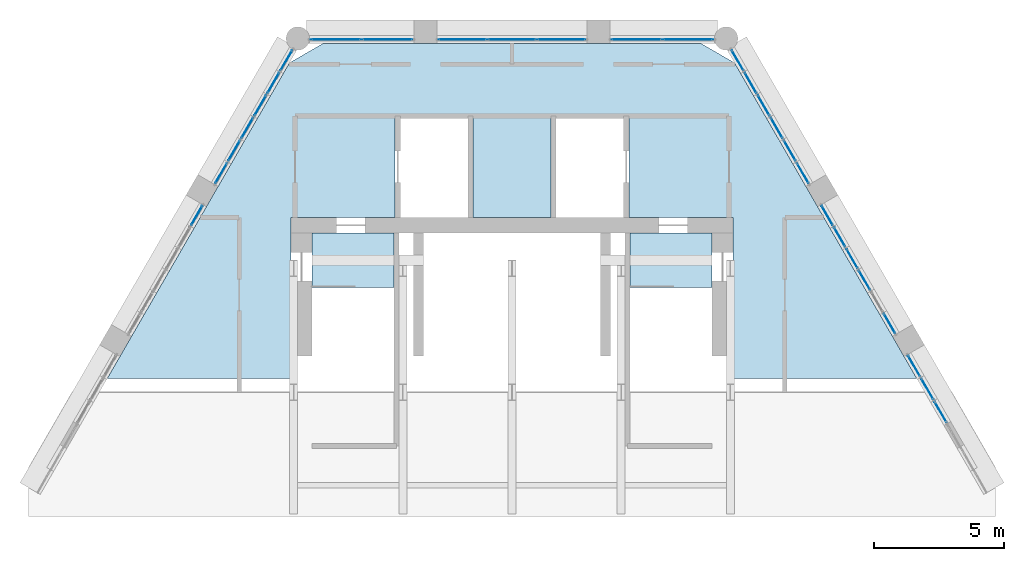
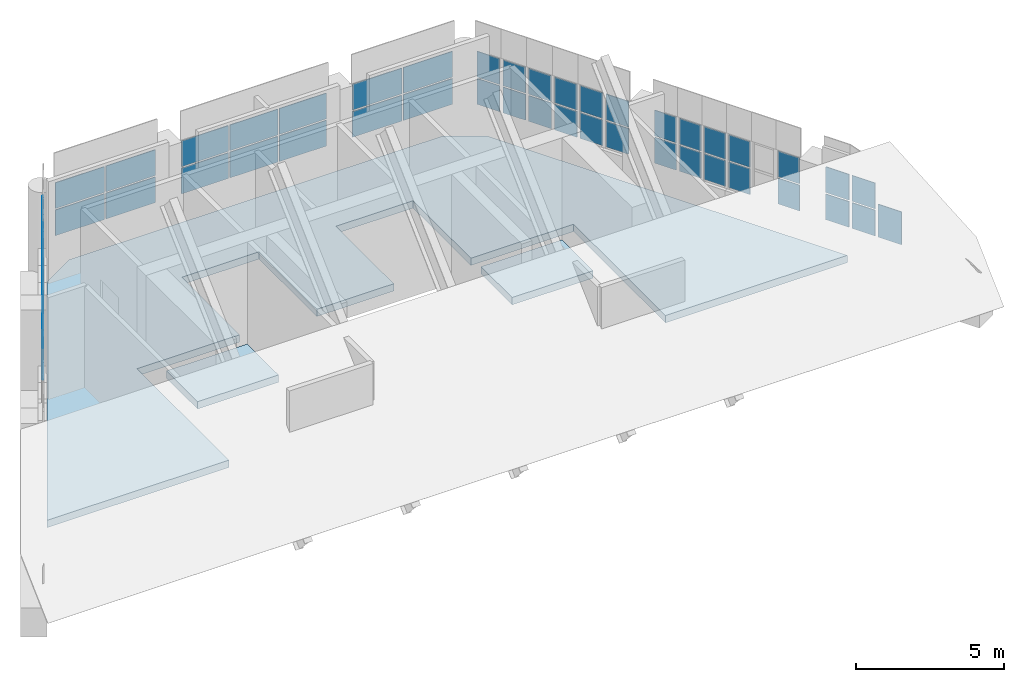
# One storey, part 13 of 16: 55 plates, 3 slabs, 24 elements without a shape of their own.
"""IFC4 building model written with IfcOpenShell, lengths in metres."""

from ifc_helpers import new_model, si_unit, direction, frame, origin, origin_2d, place, context, subcontext, project, spatial, polyline, rectangle, outline, extrude, material, layer, layer_set, type_object, element, aggregate, save


model = new_model("IFC4")

# Units and contexts
model_context = context("Model", 3, precision=1e-05, world=origin(), true_north=direction((0.0, 1.0)))
body_context = subcontext(model_context, "Body", "Model", "MODEL_VIEW")
ifc_project = project(units=[si_unit("LENGTHUNIT", "METRE"), si_unit("AREAUNIT", "SQUARE_METRE"), si_unit("VOLUMEUNIT", "CUBIC_METRE"), si_unit("PLANEANGLEUNIT", "RADIAN"), si_unit("MASSUNIT", "GRAM", prefix="KILO")], contexts=[model_context])

# Site, building, storey
site_placement = place(None, origin())
site = spatial("IfcSite", under=ifc_project, at=site_placement, CompositionType="ELEMENT")
building_placement = place(site_placement, origin())
building = spatial("IfcBuilding", under=site, at=building_placement, Name="Ostrander Bayou Hotel Tower", CompositionType="ELEMENT")
storey_placement = place(building_placement, frame((0.0, 0.0, 288.5)))
storey = spatial("IfcBuildingStorey", under=building, at=storey_placement, Name="L71", CompositionType="ELEMENT", Elevation=288.5)

# Curtain wall, plates
ifc_material_1 = material(Name="Aluminium and clear glass", Category="aluminium")
curtain_wall_type = type_object("IfcCurtainWallType", Name="CW-CROWN glazed wall", PredefinedType="NOTDEFINED", material=ifc_material_1)
curtain_wall_1_placement = place(storey_placement, origin())
curtain_wall_1 = element("IfcCurtainWall", 1, at=curtain_wall_1_placement, inside=storey, type_object=curtain_wall_type, Name="CW-CROWN L71:N-1", PredefinedType="NOTDEFINED")
ifc_material_2 = material(Name="Clear laminated glass", Category="glass")
ifc_layer_1 = layer(ifc_material_2, 0.028076171875)
ifc_layer_set_1 = layer_set([ifc_layer_1], Name="CW-CR glazing panel 28 mm")
plate_type = type_object("IfcPlateType", Name="CW-CR glazing panel 28 mm", PredefinedType="CURTAIN_PANEL", material=ifc_layer_set_1)
plate_1_placement = place(storey_placement, frame((6.77685546875, 16.550048828125, 1.06005859375), z_axis=(0.0, 0.0, 1.0), x_axis=(-1.0, 0.0, 0.0)))
plate_1 = element("IfcPlate", 2, at=plate_1_placement, type_object=plate_type, Name="CW-CROWN panel 1.1", PredefinedType="CURTAIN_PANEL", context=body_context, shape_type="SweptSolid", body=[
    extrude(rectangle(XDim=1.918212890625, YDim=0.028076171875, at=origin_2d()), origin(), (0.0, 0.0, 1.0), 1.06005859375),
])
plate_2_placement = place(storey_placement, frame((6.77685546875, 16.550048828125, 2.179931640625), z_axis=(0.0, 0.0, 1.0), x_axis=(-1.0, 0.0, 0.0)))
plate_2 = element("IfcPlate", 3, at=plate_2_placement, type_object=plate_type, Name="CW-CROWN panel 1.2", PredefinedType="CURTAIN_PANEL", context=body_context, shape_type="SweptSolid", body=[
    extrude(rectangle(XDim=1.918212890625, YDim=0.028076171875, at=origin_2d()), origin(), (0.0, 0.0, 1.0), 1.06005859375),
])
plate_3_placement = place(storey_placement, frame((4.798583984375, 16.550048828125, 1.06005859375), z_axis=(0.0, 0.0, 1.0), x_axis=(-1.0, 0.0, 0.0)))
plate_3 = element("IfcPlate", 4, at=plate_3_placement, type_object=plate_type, Name="CW-CROWN panel 2.1", PredefinedType="CURTAIN_PANEL", context=body_context, shape_type="SweptSolid", body=[
    extrude(rectangle(XDim=1.918212890625, YDim=0.028076171875, at=origin_2d()), origin(), (0.0, 0.0, 1.0), 1.06005859375),
])
plate_4_placement = place(storey_placement, frame((4.798583984375, 16.550048828125, 2.179931640625), z_axis=(0.0, 0.0, 1.0), x_axis=(-1.0, 0.0, 0.0)))
plate_4 = element("IfcPlate", 5, at=plate_4_placement, type_object=plate_type, Name="CW-CROWN panel 2.2", PredefinedType="CURTAIN_PANEL", context=body_context, shape_type="SweptSolid", body=[
    extrude(rectangle(XDim=1.918212890625, YDim=0.028076171875, at=origin_2d()), origin(), (0.0, 0.0, 1.0), 1.06005859375),
])
aggregate(curtain_wall_1, [plate_1, plate_2, plate_3, plate_4])

curtain_wall_2_placement = place(storey_placement, origin())
curtain_wall_2 = element("IfcCurtainWall", 6, at=curtain_wall_2_placement, inside=storey, type_object=curtain_wall_type, Name="CW-CROWN L71:N-2", PredefinedType="NOTDEFINED")
plate_5_placement = place(storey_placement, frame((1.904541015625, 16.550048828125, 1.06005859375), z_axis=(0.0, 0.0, 1.0), x_axis=(-1.0, 0.0, 0.0)))
plate_5 = element("IfcPlate", 7, at=plate_5_placement, type_object=plate_type, Name="CW-CROWN panel 1.1", PredefinedType="CURTAIN_PANEL", context=body_context, shape_type="SweptSolid", body=[
    extrude(rectangle(XDim=1.82958984375, YDim=0.028076171875, at=origin_2d()), origin(), (0.0, 0.0, 1.0), 1.06005859375),
])
plate_6_placement = place(storey_placement, frame((1.904541015625, 16.550048828125, 2.179931640625), z_axis=(0.0, 0.0, 1.0), x_axis=(-1.0, 0.0, 0.0)))
plate_6 = element("IfcPlate", 8, at=plate_6_placement, type_object=plate_type, Name="CW-CROWN panel 1.2", PredefinedType="CURTAIN_PANEL", context=body_context, shape_type="SweptSolid", body=[
    extrude(rectangle(XDim=1.82958984375, YDim=0.028076171875, at=origin_2d()), origin(), (0.0, 0.0, 1.0), 1.06005859375),
])
plate_7_placement = place(storey_placement, frame((0.0, 16.550048828125, 1.06005859375), z_axis=(0.0, 0.0, 1.0), x_axis=(-1.0, 0.0, 0.0)))
plate_7 = element("IfcPlate", 9, at=plate_7_placement, type_object=plate_type, Name="CW-CROWN panel 2.1", PredefinedType="CURTAIN_PANEL", context=body_context, shape_type="SweptSolid", body=[
    extrude(rectangle(XDim=1.859619140625, YDim=0.028076171875, at=origin_2d()), origin(), (0.0, 0.0, 1.0), 1.06005859375),
])
plate_8_placement = place(storey_placement, frame((0.0, 16.550048828125, 2.179931640625), z_axis=(0.0, 0.0, 1.0), x_axis=(-1.0, 0.0, 0.0)))
plate_8 = element("IfcPlate", 10, at=plate_8_placement, type_object=plate_type, Name="CW-CROWN panel 2.2", PredefinedType="CURTAIN_PANEL", context=body_context, shape_type="SweptSolid", body=[
    extrude(rectangle(XDim=1.859619140625, YDim=0.028076171875, at=origin_2d()), origin(), (0.0, 0.0, 1.0), 1.06005859375),
])
plate_9_placement = place(storey_placement, frame((-1.904541015625, 16.550048828125, 1.06005859375), z_axis=(0.0, 0.0, 1.0), x_axis=(-1.0, 0.0, 0.0)))
plate_9 = element("IfcPlate", 11, at=plate_9_placement, type_object=plate_type, Name="CW-CROWN panel 3.1", PredefinedType="CURTAIN_PANEL", context=body_context, shape_type="SweptSolid", body=[
    extrude(rectangle(XDim=1.82958984375, YDim=0.028076171875, at=origin_2d()), origin(), (0.0, 0.0, 1.0), 1.06005859375),
])
plate_10_placement = place(storey_placement, frame((-1.904541015625, 16.550048828125, 2.179931640625), z_axis=(0.0, 0.0, 1.0), x_axis=(-1.0, 0.0, 0.0)))
plate_10 = element("IfcPlate", 12, at=plate_10_placement, type_object=plate_type, Name="CW-CROWN panel 3.2", PredefinedType="CURTAIN_PANEL", context=body_context, shape_type="SweptSolid", body=[
    extrude(rectangle(XDim=1.82958984375, YDim=0.028076171875, at=origin_2d()), origin(), (0.0, 0.0, 1.0), 1.06005859375),
])
aggregate(curtain_wall_2, [plate_5, plate_6, plate_7, plate_8, plate_9, plate_10])

curtain_wall_3_placement = place(storey_placement, origin())
curtain_wall_3 = element("IfcCurtainWall", 13, at=curtain_wall_3_placement, inside=storey, type_object=curtain_wall_type, Name="CW-CROWN L71:N-3", PredefinedType="NOTDEFINED")
plate_11_placement = place(storey_placement, frame((-4.798583984375, 16.550048828125, 1.06005859375), z_axis=(0.0, 0.0, 1.0), x_axis=(-1.0, 0.0, 0.0)))
plate_11 = element("IfcPlate", 14, at=plate_11_placement, type_object=plate_type, Name="CW-CROWN panel 1.1", PredefinedType="CURTAIN_PANEL", context=body_context, shape_type="SweptSolid", body=[
    extrude(rectangle(XDim=1.918212890625, YDim=0.028076171875, at=origin_2d()), origin(), (0.0, 0.0, 1.0), 1.06005859375),
])
plate_12_placement = place(storey_placement, frame((-4.798583984375, 16.550048828125, 2.179931640625), z_axis=(0.0, 0.0, 1.0), x_axis=(-1.0, 0.0, 0.0)))
plate_12 = element("IfcPlate", 15, at=plate_12_placement, type_object=plate_type, Name="CW-CROWN panel 1.2", PredefinedType="CURTAIN_PANEL", context=body_context, shape_type="SweptSolid", body=[
    extrude(rectangle(XDim=1.918212890625, YDim=0.028076171875, at=origin_2d()), origin(), (0.0, 0.0, 1.0), 1.06005859375),
])
plate_13_placement = place(storey_placement, frame((-6.77685546875, 16.550048828125, 1.06005859375), z_axis=(0.0, 0.0, 1.0), x_axis=(-1.0, 0.0, 0.0)))
plate_13 = element("IfcPlate", 16, at=plate_13_placement, type_object=plate_type, Name="CW-CROWN panel 2.1", PredefinedType="CURTAIN_PANEL", context=body_context, shape_type="SweptSolid", body=[
    extrude(rectangle(XDim=1.918212890625, YDim=0.028076171875, at=origin_2d()), origin(), (0.0, 0.0, 1.0), 1.06005859375),
])
plate_14_placement = place(storey_placement, frame((-6.77685546875, 16.550048828125, 2.179931640625), z_axis=(0.0, 0.0, 1.0), x_axis=(-1.0, 0.0, 0.0)))
plate_14 = element("IfcPlate", 17, at=plate_14_placement, type_object=plate_type, Name="CW-CROWN panel 2.2", PredefinedType="CURTAIN_PANEL", context=body_context, shape_type="SweptSolid", body=[
    extrude(rectangle(XDim=1.918212890625, YDim=0.028076171875, at=origin_2d()), origin(), (0.0, 0.0, 1.0), 1.06005859375),
])
aggregate(curtain_wall_3, [plate_11, plate_12, plate_13, plate_14])

curtain_wall_4_placement = place(storey_placement, origin())
curtain_wall_4 = element("IfcCurtainWall", 18, at=curtain_wall_4_placement, inside=storey, type_object=curtain_wall_type, Name="CW-CROWN L71:NW-1-1", PredefinedType="NOTDEFINED")
plate_15_placement = place(storey_placement, frame((-8.682861328125, 15.748046875, 1.06005859375), z_axis=(0.0, 0.0, 1.0), x_axis=(-0.499998569184, -0.866026229865, 0.0)))
plate_15 = element("IfcPlate", 19, at=plate_15_placement, type_object=plate_type, Name="CW-CROWN panel 1.1", PredefinedType="CURTAIN_PANEL", context=body_context, shape_type="SweptSolid", body=[
    extrude(rectangle(XDim=0.88330078125, YDim=0.028076171875, at=origin_2d()), origin(), (0.0, 0.0, 1.0), 1.06005859375),
])
plate_16_placement = place(storey_placement, frame((-8.682861328125, 15.748046875, 2.179931640625), z_axis=(0.0, 0.0, 1.0), x_axis=(-0.499998569184, -0.866026229865, 0.0)))
plate_16 = element("IfcPlate", 20, at=plate_16_placement, type_object=plate_type, Name="CW-CROWN panel 1.2", PredefinedType="CURTAIN_PANEL", context=body_context, shape_type="SweptSolid", body=[
    extrude(rectangle(XDim=0.88330078125, YDim=0.028076171875, at=origin_2d()), origin(), (0.0, 0.0, 1.0), 1.06005859375),
])
aggregate(curtain_wall_4, [plate_15, plate_16])

curtain_wall_5_placement = place(storey_placement, origin())
curtain_wall_5 = element("IfcCurtainWall", 21, at=curtain_wall_5_placement, inside=storey, type_object=curtain_wall_type, Name="CW-CROWN L71:NW-1-2", PredefinedType="NOTDEFINED")
plate_17_placement = place(storey_placement, frame((-9.184326171875, 14.879150390625, 1.06005859375), z_axis=(0.0, 0.0, 1.0), x_axis=(-0.50004173523, -0.866001306597, 0.0)))
plate_17 = element("IfcPlate", 22, at=plate_17_placement, type_object=plate_type, Name="CW-CROWN panel 1.1", PredefinedType="CURTAIN_PANEL", context=body_context, shape_type="SweptSolid", body=[
    extrude(rectangle(XDim=0.883056640625, YDim=0.028076171875, at=origin_2d()), origin(), (0.0, 0.0, 1.0), 1.06005859375),
])
plate_18_placement = place(storey_placement, frame((-9.184326171875, 14.879150390625, 2.179931640625), z_axis=(0.0, 0.0, 1.0), x_axis=(-0.50004173523, -0.866001306597, 0.0)))
plate_18 = element("IfcPlate", 23, at=plate_18_placement, type_object=plate_type, Name="CW-CROWN panel 1.2", PredefinedType="CURTAIN_PANEL", context=body_context, shape_type="SweptSolid", body=[
    extrude(rectangle(XDim=0.883056640625, YDim=0.028076171875, at=origin_2d()), origin(), (0.0, 0.0, 1.0), 1.06005859375),
])
aggregate(curtain_wall_5, [plate_17, plate_18])

curtain_wall_6_placement = place(storey_placement, origin())
curtain_wall_6 = element("IfcCurtainWall", 24, at=curtain_wall_6_placement, inside=storey, type_object=curtain_wall_type, Name="CW-CROWN L71:NW-1-3", PredefinedType="NOTDEFINED")
plate_19_placement = place(storey_placement, frame((-9.68603515625, 14.010498046875, 1.06005859375), z_axis=(0.0, 0.0, 1.0), x_axis=(-0.499998569184, -0.866026229865, 0.0)))
plate_19 = element("IfcPlate", 25, at=plate_19_placement, type_object=plate_type, Name="CW-CROWN panel 1.1", PredefinedType="CURTAIN_PANEL", context=body_context, shape_type="SweptSolid", body=[
    extrude(rectangle(XDim=0.88330078125, YDim=0.028076171875, at=origin_2d()), origin(), (0.0, 0.0, 1.0), 1.06005859375),
])
plate_20_placement = place(storey_placement, frame((-9.68603515625, 14.010498046875, 2.179931640625), z_axis=(0.0, 0.0, 1.0), x_axis=(-0.499998569184, -0.866026229865, 0.0)))
plate_20 = element("IfcPlate", 26, at=plate_20_placement, type_object=plate_type, Name="CW-CROWN panel 1.2", PredefinedType="CURTAIN_PANEL", context=body_context, shape_type="SweptSolid", body=[
    extrude(rectangle(XDim=0.88330078125, YDim=0.028076171875, at=origin_2d()), origin(), (0.0, 0.0, 1.0), 1.06005859375),
])
aggregate(curtain_wall_6, [plate_19, plate_20])

curtain_wall_7_placement = place(storey_placement, origin())
curtain_wall_7 = element("IfcCurtainWall", 27, at=curtain_wall_7_placement, inside=storey, type_object=curtain_wall_type, Name="CW-CROWN L71:NW-1-4", PredefinedType="NOTDEFINED")
plate_21_placement = place(storey_placement, frame((-10.1875, 13.1416015625, 1.06005859375), z_axis=(0.0, 0.0, 1.0), x_axis=(-0.499923802893, -0.866069391736, 0.0)))
plate_21 = element("IfcPlate", 28, at=plate_21_placement, type_object=plate_type, Name="CW-CROWN panel 1.1", PredefinedType="CURTAIN_PANEL", context=body_context, shape_type="SweptSolid", body=[
    extrude(rectangle(XDim=0.883056640625, YDim=0.028076171875, at=origin_2d()), origin(), (0.0, 0.0, 1.0), 1.06005859375),
])
plate_22_placement = place(storey_placement, frame((-10.1875, 13.1416015625, 2.179931640625), z_axis=(0.0, 0.0, 1.0), x_axis=(-0.499923802893, -0.866069391736, 0.0)))
plate_22 = element("IfcPlate", 29, at=plate_22_placement, type_object=plate_type, Name="CW-CROWN panel 1.2", PredefinedType="CURTAIN_PANEL", context=body_context, shape_type="SweptSolid", body=[
    extrude(rectangle(XDim=0.883056640625, YDim=0.028076171875, at=origin_2d()), origin(), (0.0, 0.0, 1.0), 1.06005859375),
])
aggregate(curtain_wall_7, [plate_21, plate_22])

curtain_wall_8_placement = place(storey_placement, origin())
curtain_wall_8 = element("IfcCurtainWall", 30, at=curtain_wall_8_placement, inside=storey, type_object=curtain_wall_type, Name="CW-CROWN L71:NW-1-5", PredefinedType="NOTDEFINED")
plate_23_placement = place(storey_placement, frame((-10.689208984375, 12.27294921875, 1.06005859375), z_axis=(0.0, 0.0, 1.0), x_axis=(-0.50004173523, -0.866001306597, 0.0)))
plate_23 = element("IfcPlate", 31, at=plate_23_placement, type_object=plate_type, Name="CW-CROWN panel 1.1", PredefinedType="CURTAIN_PANEL", context=body_context, shape_type="SweptSolid", body=[
    extrude(rectangle(XDim=0.883056640625, YDim=0.028076171875, at=origin_2d()), origin(), (0.0, 0.0, 1.0), 1.06005859375),
])
plate_24_placement = place(storey_placement, frame((-10.689208984375, 12.27294921875, 2.179931640625), z_axis=(0.0, 0.0, 1.0), x_axis=(-0.50004173523, -0.866001306597, 0.0)))
plate_24 = element("IfcPlate", 32, at=plate_24_placement, type_object=plate_type, Name="CW-CROWN panel 1.2", PredefinedType="CURTAIN_PANEL", context=body_context, shape_type="SweptSolid", body=[
    extrude(rectangle(XDim=0.883056640625, YDim=0.028076171875, at=origin_2d()), origin(), (0.0, 0.0, 1.0), 1.06005859375),
])
aggregate(curtain_wall_8, [plate_23, plate_24])

curtain_wall_9_placement = place(storey_placement, origin())
curtain_wall_9 = element("IfcCurtainWall", 33, at=curtain_wall_9_placement, inside=storey, type_object=curtain_wall_type, Name="CW-CROWN L71:NW-1-6", PredefinedType="NOTDEFINED")
plate_25_placement = place(storey_placement, frame((-11.190673828125, 11.404296875, 1.06005859375), z_axis=(0.0, 0.0, 1.0), x_axis=(-0.499998569184, -0.866026229865, 0.0)))
plate_25 = element("IfcPlate", 34, at=plate_25_placement, type_object=plate_type, Name="CW-CROWN panel 1.1", PredefinedType="CURTAIN_PANEL", context=body_context, shape_type="SweptSolid", body=[
    extrude(rectangle(XDim=0.88330078125, YDim=0.028076171875, at=origin_2d()), origin(), (0.0, 0.0, 1.0), 1.06005859375),
])
plate_26_placement = place(storey_placement, frame((-11.190673828125, 11.404296875, 2.179931640625), z_axis=(0.0, 0.0, 1.0), x_axis=(-0.499998569184, -0.866026229865, 0.0)))
plate_26 = element("IfcPlate", 35, at=plate_26_placement, type_object=plate_type, Name="CW-CROWN panel 1.2", PredefinedType="CURTAIN_PANEL", context=body_context, shape_type="SweptSolid", body=[
    extrude(rectangle(XDim=0.88330078125, YDim=0.028076171875, at=origin_2d()), origin(), (0.0, 0.0, 1.0), 1.06005859375),
])
aggregate(curtain_wall_9, [plate_25, plate_26])

curtain_wall_10_placement = place(storey_placement, origin())
curtain_wall_10 = element("IfcCurtainWall", 36, at=curtain_wall_10_placement, inside=storey, type_object=curtain_wall_type, Name="CW-CROWN L71:NW-2-1", PredefinedType="NOTDEFINED")
plate_27_placement = place(storey_placement, frame((-12.13134765625, 9.77490234375, 1.06005859375), z_axis=(0.0, 0.0, 1.0), x_axis=(-0.500005045044, -0.866022491007, 0.0)))
plate_27 = element("IfcPlate", 37, at=plate_27_placement, type_object=plate_type, Name="CW-CROWN panel 1.1", PredefinedType="CURTAIN_PANEL", context=body_context, shape_type="SweptSolid", body=[
    extrude(rectangle(XDim=0.83984375, YDim=0.028076171875, at=origin_2d()), origin(), (0.0, 0.0, 1.0), 1.06005859375),
])
plate_28_placement = place(storey_placement, frame((-12.13134765625, 9.77490234375, 2.179931640625), z_axis=(0.0, 0.0, 1.0), x_axis=(-0.500005045044, -0.866022491007, 0.0)))
plate_28 = element("IfcPlate", 38, at=plate_28_placement, type_object=plate_type, Name="CW-CROWN panel 1.2", PredefinedType="CURTAIN_PANEL", context=body_context, shape_type="SweptSolid", body=[
    extrude(rectangle(XDim=0.83984375, YDim=0.028076171875, at=origin_2d()), origin(), (0.0, 0.0, 1.0), 1.06005859375),
])
aggregate(curtain_wall_10, [plate_27, plate_28])

# Curtain wall, plate
curtain_wall_11_placement = place(storey_placement, origin())
curtain_wall_11 = element("IfcCurtainWall", 39, at=curtain_wall_11_placement, inside=storey, type_object=curtain_wall_type, Name="CW-CROWN L71:NE-1-4", PredefinedType="NOTDEFINED")
plate_29_placement = place(storey_placement, frame((16.497802734375, 2.2119140625, 1.06005859375), z_axis=(0.0, 0.0, 1.0), x_axis=(-0.499939953771, 0.866060068715, 0.0)))
plate_29 = element("IfcPlate", 40, at=plate_29_placement, type_object=plate_type, Name="CW-CROWN panel 1.1", PredefinedType="CURTAIN_PANEL", context=body_context, shape_type="SweptSolid", body=[
    extrude(rectangle(XDim=0.901611328125, YDim=0.028076171875, at=origin_2d()), origin(), (0.0, 0.0, 1.0), 1.35205078125),
])
aggregate(curtain_wall_11, [plate_29])

# Curtain wall, plates
curtain_wall_12_placement = place(storey_placement, origin())
curtain_wall_12 = element("IfcCurtainWall", 41, at=curtain_wall_12_placement, inside=storey, type_object=curtain_wall_type, Name="CW-CROWN L71:NE-1-5", PredefinedType="NOTDEFINED")
plate_30_placement = place(storey_placement, frame((15.987060546875, 3.0966796875, 1.06005859375), z_axis=(0.0, 0.0, 1.0), x_axis=(-0.500013374066, 0.866017682126, 0.0)))
plate_30 = element("IfcPlate", 42, at=plate_30_placement, type_object=plate_type, Name="CW-CROWN panel 1.1", PredefinedType="CURTAIN_PANEL", context=body_context, shape_type="SweptSolid", body=[
    extrude(rectangle(XDim=0.901611328125, YDim=0.028076171875, at=origin_2d()), origin(), (0.0, 0.0, 1.0), 1.06005859375),
])
plate_31_placement = place(storey_placement, frame((15.987060546875, 3.0966796875, 2.179931640625), z_axis=(0.0, 0.0, 1.0), x_axis=(-0.500013374066, 0.866017682126, 0.0)))
plate_31 = element("IfcPlate", 43, at=plate_31_placement, type_object=plate_type, Name="CW-CROWN panel 1.2", PredefinedType="CURTAIN_PANEL", context=body_context, shape_type="SweptSolid", body=[
    extrude(rectangle(XDim=0.901611328125, YDim=0.028076171875, at=origin_2d()), origin(), (0.0, 0.0, 1.0), 1.06005859375),
])
aggregate(curtain_wall_12, [plate_30, plate_31])

curtain_wall_13_placement = place(storey_placement, origin())
curtain_wall_13 = element("IfcCurtainWall", 44, at=curtain_wall_13_placement, inside=storey, type_object=curtain_wall_type, Name="CW-CROWN L71:NE-1-6", PredefinedType="NOTDEFINED")
plate_32_placement = place(storey_placement, frame((15.476318359375, 3.9814453125, 1.06005859375), z_axis=(0.0, 0.0, 1.0), x_axis=(-0.500013374066, 0.866017682126, 0.0)))
plate_32 = element("IfcPlate", 45, at=plate_32_placement, type_object=plate_type, Name="CW-CROWN panel 1.1", PredefinedType="CURTAIN_PANEL", context=body_context, shape_type="SweptSolid", body=[
    extrude(rectangle(XDim=0.901611328125, YDim=0.028076171875, at=origin_2d()), origin(), (0.0, 0.0, 1.0), 1.06005859375),
])
plate_33_placement = place(storey_placement, frame((15.476318359375, 3.9814453125, 2.179931640625), z_axis=(0.0, 0.0, 1.0), x_axis=(-0.500013374066, 0.866017682126, 0.0)))
plate_33 = element("IfcPlate", 46, at=plate_33_placement, type_object=plate_type, Name="CW-CROWN panel 1.2", PredefinedType="CURTAIN_PANEL", context=body_context, shape_type="SweptSolid", body=[
    extrude(rectangle(XDim=0.901611328125, YDim=0.028076171875, at=origin_2d()), origin(), (0.0, 0.0, 1.0), 1.06005859375),
])
aggregate(curtain_wall_13, [plate_32, plate_33])

curtain_wall_14_placement = place(storey_placement, origin())
curtain_wall_14 = element("IfcCurtainWall", 47, at=curtain_wall_14_placement, inside=storey, type_object=curtain_wall_type, Name="CW-CROWN L71:NE-2-1", PredefinedType="NOTDEFINED")
plate_34_placement = place(storey_placement, frame((14.531005859375, 5.61865234375, 1.06005859375), z_axis=(0.0, 0.0, 1.0), x_axis=(-0.500005045044, 0.866022491007, 0.0)))
plate_34 = element("IfcPlate", 48, at=plate_34_placement, type_object=plate_type, Name="CW-CROWN panel 1.1", PredefinedType="CURTAIN_PANEL", context=body_context, shape_type="SweptSolid", body=[
    extrude(rectangle(XDim=0.83984375, YDim=0.028076171875, at=origin_2d()), origin(), (0.0, 0.0, 1.0), 1.06005859375),
])
plate_35_placement = place(storey_placement, frame((14.531005859375, 5.61865234375, 2.179931640625), z_axis=(0.0, 0.0, 1.0), x_axis=(-0.500005045044, 0.866022491007, 0.0)))
plate_35 = element("IfcPlate", 49, at=plate_35_placement, type_object=plate_type, Name="CW-CROWN panel 1.2", PredefinedType="CURTAIN_PANEL", context=body_context, shape_type="SweptSolid", body=[
    extrude(rectangle(XDim=0.83984375, YDim=0.028076171875, at=origin_2d()), origin(), (0.0, 0.0, 1.0), 1.06005859375),
])
aggregate(curtain_wall_14, [plate_34, plate_35])

curtain_wall_15_placement = place(storey_placement, origin())
curtain_wall_15 = element("IfcCurtainWall", 50, at=curtain_wall_15_placement, inside=storey, type_object=curtain_wall_type, Name="CW-CROWN L71:NE-2-3", PredefinedType="NOTDEFINED")
plate_36_placement = place(storey_placement, frame((13.571044921875, 7.28125, 1.06005859375), z_axis=(0.0, 0.0, 1.0), x_axis=(-0.499959932788, 0.866048535364, 0.0)))
plate_36 = element("IfcPlate", 51, at=plate_36_placement, type_object=plate_type, Name="CW-CROWN panel 1.1", PredefinedType="CURTAIN_PANEL", context=body_context, shape_type="SweptSolid", body=[
    extrude(rectangle(XDim=0.83984375, YDim=0.028076171875, at=origin_2d()), origin(), (0.0, 0.0, 1.0), 1.06005859375),
])
plate_37_placement = place(storey_placement, frame((13.571044921875, 7.28125, 2.179931640625), z_axis=(0.0, 0.0, 1.0), x_axis=(-0.499959932788, 0.866048535364, 0.0)))
plate_37 = element("IfcPlate", 52, at=plate_37_placement, type_object=plate_type, Name="CW-CROWN panel 1.2", PredefinedType="CURTAIN_PANEL", context=body_context, shape_type="SweptSolid", body=[
    extrude(rectangle(XDim=0.83984375, YDim=0.028076171875, at=origin_2d()), origin(), (0.0, 0.0, 1.0), 1.06005859375),
])
aggregate(curtain_wall_15, [plate_36, plate_37])

curtain_wall_16_placement = place(storey_placement, origin())
curtain_wall_16 = element("IfcCurtainWall", 53, at=curtain_wall_16_placement, inside=storey, type_object=curtain_wall_type, Name="CW-CROWN L71:NE-2-4", PredefinedType="NOTDEFINED")
plate_38_placement = place(storey_placement, frame((13.09130859375, 8.1123046875, 1.06005859375), z_axis=(0.0, 0.0, 1.0), x_axis=(-0.500005045044, 0.866022491007, 0.0)))
plate_38 = element("IfcPlate", 54, at=plate_38_placement, type_object=plate_type, Name="CW-CROWN panel 1.1", PredefinedType="CURTAIN_PANEL", context=body_context, shape_type="SweptSolid", body=[
    extrude(rectangle(XDim=0.83984375, YDim=0.028076171875, at=origin_2d()), origin(), (0.0, 0.0, 1.0), 1.06005859375),
])
plate_39_placement = place(storey_placement, frame((13.09130859375, 8.1123046875, 2.179931640625), z_axis=(0.0, 0.0, 1.0), x_axis=(-0.500005045044, 0.866022491007, 0.0)))
plate_39 = element("IfcPlate", 55, at=plate_39_placement, type_object=plate_type, Name="CW-CROWN panel 1.2", PredefinedType="CURTAIN_PANEL", context=body_context, shape_type="SweptSolid", body=[
    extrude(rectangle(XDim=0.83984375, YDim=0.028076171875, at=origin_2d()), origin(), (0.0, 0.0, 1.0), 1.06005859375),
])
aggregate(curtain_wall_16, [plate_38, plate_39])

curtain_wall_17_placement = place(storey_placement, origin())
curtain_wall_17 = element("IfcCurtainWall", 56, at=curtain_wall_17_placement, inside=storey, type_object=curtain_wall_type, Name="CW-CROWN L71:NE-2-5", PredefinedType="NOTDEFINED")
plate_40_placement = place(storey_placement, frame((12.611328125, 8.943603515625, 1.06005859375), z_axis=(0.0, 0.0, 1.0), x_axis=(-0.500005045044, 0.866022491007, 0.0)))
plate_40 = element("IfcPlate", 57, at=plate_40_placement, type_object=plate_type, Name="CW-CROWN panel 1.1", PredefinedType="CURTAIN_PANEL", context=body_context, shape_type="SweptSolid", body=[
    extrude(rectangle(XDim=0.83984375, YDim=0.028076171875, at=origin_2d()), origin(), (0.0, 0.0, 1.0), 1.06005859375),
])
plate_41_placement = place(storey_placement, frame((12.611328125, 8.943603515625, 2.179931640625), z_axis=(0.0, 0.0, 1.0), x_axis=(-0.500005045044, 0.866022491007, 0.0)))
plate_41 = element("IfcPlate", 58, at=plate_41_placement, type_object=plate_type, Name="CW-CROWN panel 1.2", PredefinedType="CURTAIN_PANEL", context=body_context, shape_type="SweptSolid", body=[
    extrude(rectangle(XDim=0.83984375, YDim=0.028076171875, at=origin_2d()), origin(), (0.0, 0.0, 1.0), 1.06005859375),
])
aggregate(curtain_wall_17, [plate_40, plate_41])

curtain_wall_18_placement = place(storey_placement, origin())
curtain_wall_18 = element("IfcCurtainWall", 59, at=curtain_wall_18_placement, inside=storey, type_object=curtain_wall_type, Name="CW-CROWN L71:NE-2-6", PredefinedType="NOTDEFINED")
plate_42_placement = place(storey_placement, frame((12.13134765625, 9.77490234375, 1.06005859375), z_axis=(0.0, 0.0, 1.0), x_axis=(-0.500005045044, 0.866022491007, 0.0)))
plate_42 = element("IfcPlate", 60, at=plate_42_placement, type_object=plate_type, Name="CW-CROWN panel 1.1", PredefinedType="CURTAIN_PANEL", context=body_context, shape_type="SweptSolid", body=[
    extrude(rectangle(XDim=0.83984375, YDim=0.028076171875, at=origin_2d()), origin(), (0.0, 0.0, 1.0), 1.06005859375),
])
plate_43_placement = place(storey_placement, frame((12.13134765625, 9.77490234375, 2.179931640625), z_axis=(0.0, 0.0, 1.0), x_axis=(-0.500005045044, 0.866022491007, 0.0)))
plate_43 = element("IfcPlate", 61, at=plate_43_placement, type_object=plate_type, Name="CW-CROWN panel 1.2", PredefinedType="CURTAIN_PANEL", context=body_context, shape_type="SweptSolid", body=[
    extrude(rectangle(XDim=0.83984375, YDim=0.028076171875, at=origin_2d()), origin(), (0.0, 0.0, 1.0), 1.06005859375),
])
aggregate(curtain_wall_18, [plate_42, plate_43])

curtain_wall_19_placement = place(storey_placement, origin())
curtain_wall_19 = element("IfcCurtainWall", 62, at=curtain_wall_19_placement, inside=storey, type_object=curtain_wall_type, Name="CW-CROWN L71:NE-3-1", PredefinedType="NOTDEFINED")
plate_44_placement = place(storey_placement, frame((11.190673828125, 11.404296875, 1.06005859375), z_axis=(0.0, 0.0, 1.0), x_axis=(-0.499998569184, 0.866026229865, 0.0)))
plate_44 = element("IfcPlate", 63, at=plate_44_placement, type_object=plate_type, Name="CW-CROWN panel 1.1", PredefinedType="CURTAIN_PANEL", context=body_context, shape_type="SweptSolid", body=[
    extrude(rectangle(XDim=0.88330078125, YDim=0.028076171875, at=origin_2d()), origin(), (0.0, 0.0, 1.0), 1.06005859375),
])
plate_45_placement = place(storey_placement, frame((11.190673828125, 11.404296875, 2.179931640625), z_axis=(0.0, 0.0, 1.0), x_axis=(-0.499998569184, 0.866026229865, 0.0)))
plate_45 = element("IfcPlate", 64, at=plate_45_placement, type_object=plate_type, Name="CW-CROWN panel 1.2", PredefinedType="CURTAIN_PANEL", context=body_context, shape_type="SweptSolid", body=[
    extrude(rectangle(XDim=0.88330078125, YDim=0.028076171875, at=origin_2d()), origin(), (0.0, 0.0, 1.0), 1.06005859375),
])
aggregate(curtain_wall_19, [plate_44, plate_45])

curtain_wall_20_placement = place(storey_placement, origin())
curtain_wall_20 = element("IfcCurtainWall", 65, at=curtain_wall_20_placement, inside=storey, type_object=curtain_wall_type, Name="CW-CROWN L71:NE-3-2", PredefinedType="NOTDEFINED")
plate_46_placement = place(storey_placement, frame((10.689208984375, 12.27294921875, 1.06005859375), z_axis=(0.0, 0.0, 1.0), x_axis=(-0.50004173523, 0.866001306597, 0.0)))
plate_46 = element("IfcPlate", 66, at=plate_46_placement, type_object=plate_type, Name="CW-CROWN panel 1.1", PredefinedType="CURTAIN_PANEL", context=body_context, shape_type="SweptSolid", body=[
    extrude(rectangle(XDim=0.883056640625, YDim=0.028076171875, at=origin_2d()), origin(), (0.0, 0.0, 1.0), 1.06005859375),
])
plate_47_placement = place(storey_placement, frame((10.689208984375, 12.27294921875, 2.179931640625), z_axis=(0.0, 0.0, 1.0), x_axis=(-0.50004173523, 0.866001306597, 0.0)))
plate_47 = element("IfcPlate", 67, at=plate_47_placement, type_object=plate_type, Name="CW-CROWN panel 1.2", PredefinedType="CURTAIN_PANEL", context=body_context, shape_type="SweptSolid", body=[
    extrude(rectangle(XDim=0.883056640625, YDim=0.028076171875, at=origin_2d()), origin(), (0.0, 0.0, 1.0), 1.06005859375),
])
aggregate(curtain_wall_20, [plate_46, plate_47])

curtain_wall_21_placement = place(storey_placement, origin())
curtain_wall_21 = element("IfcCurtainWall", 68, at=curtain_wall_21_placement, inside=storey, type_object=curtain_wall_type, Name="CW-CROWN L71:NE-3-3", PredefinedType="NOTDEFINED")
plate_48_placement = place(storey_placement, frame((10.1875, 13.1416015625, 1.06005859375), z_axis=(0.0, 0.0, 1.0), x_axis=(-0.499923802893, 0.866069391736, 0.0)))
plate_48 = element("IfcPlate", 69, at=plate_48_placement, type_object=plate_type, Name="CW-CROWN panel 1.1", PredefinedType="CURTAIN_PANEL", context=body_context, shape_type="SweptSolid", body=[
    extrude(rectangle(XDim=0.883056640625, YDim=0.028076171875, at=origin_2d()), origin(), (0.0, 0.0, 1.0), 1.06005859375),
])
plate_49_placement = place(storey_placement, frame((10.1875, 13.1416015625, 2.179931640625), z_axis=(0.0, 0.0, 1.0), x_axis=(-0.499923802893, 0.866069391736, 0.0)))
plate_49 = element("IfcPlate", 70, at=plate_49_placement, type_object=plate_type, Name="CW-CROWN panel 1.2", PredefinedType="CURTAIN_PANEL", context=body_context, shape_type="SweptSolid", body=[
    extrude(rectangle(XDim=0.883056640625, YDim=0.028076171875, at=origin_2d()), origin(), (0.0, 0.0, 1.0), 1.06005859375),
])
aggregate(curtain_wall_21, [plate_48, plate_49])

curtain_wall_22_placement = place(storey_placement, origin())
curtain_wall_22 = element("IfcCurtainWall", 71, at=curtain_wall_22_placement, inside=storey, type_object=curtain_wall_type, Name="CW-CROWN L71:NE-3-4", PredefinedType="NOTDEFINED")
plate_50_placement = place(storey_placement, frame((9.68603515625, 14.010498046875, 1.06005859375), z_axis=(0.0, 0.0, 1.0), x_axis=(-0.499998569184, 0.866026229865, 0.0)))
plate_50 = element("IfcPlate", 72, at=plate_50_placement, type_object=plate_type, Name="CW-CROWN panel 1.1", PredefinedType="CURTAIN_PANEL", context=body_context, shape_type="SweptSolid", body=[
    extrude(rectangle(XDim=0.88330078125, YDim=0.028076171875, at=origin_2d()), origin(), (0.0, 0.0, 1.0), 1.06005859375),
])
plate_51_placement = place(storey_placement, frame((9.68603515625, 14.010498046875, 2.179931640625), z_axis=(0.0, 0.0, 1.0), x_axis=(-0.499998569184, 0.866026229865, 0.0)))
plate_51 = element("IfcPlate", 73, at=plate_51_placement, type_object=plate_type, Name="CW-CROWN panel 1.2", PredefinedType="CURTAIN_PANEL", context=body_context, shape_type="SweptSolid", body=[
    extrude(rectangle(XDim=0.88330078125, YDim=0.028076171875, at=origin_2d()), origin(), (0.0, 0.0, 1.0), 1.06005859375),
])
aggregate(curtain_wall_22, [plate_50, plate_51])

curtain_wall_23_placement = place(storey_placement, origin())
curtain_wall_23 = element("IfcCurtainWall", 74, at=curtain_wall_23_placement, inside=storey, type_object=curtain_wall_type, Name="CW-CROWN L71:NE-3-5", PredefinedType="NOTDEFINED")
plate_52_placement = place(storey_placement, frame((9.184326171875, 14.879150390625, 1.06005859375), z_axis=(0.0, 0.0, 1.0), x_axis=(-0.50004173523, 0.866001306597, 0.0)))
plate_52 = element("IfcPlate", 75, at=plate_52_placement, type_object=plate_type, Name="CW-CROWN panel 1.1", PredefinedType="CURTAIN_PANEL", context=body_context, shape_type="SweptSolid", body=[
    extrude(rectangle(XDim=0.883056640625, YDim=0.028076171875, at=origin_2d()), origin(), (0.0, 0.0, 1.0), 1.06005859375),
])
plate_53_placement = place(storey_placement, frame((9.184326171875, 14.879150390625, 2.179931640625), z_axis=(0.0, 0.0, 1.0), x_axis=(-0.50004173523, 0.866001306597, 0.0)))
plate_53 = element("IfcPlate", 76, at=plate_53_placement, type_object=plate_type, Name="CW-CROWN panel 1.2", PredefinedType="CURTAIN_PANEL", context=body_context, shape_type="SweptSolid", body=[
    extrude(rectangle(XDim=0.883056640625, YDim=0.028076171875, at=origin_2d()), origin(), (0.0, 0.0, 1.0), 1.06005859375),
])
aggregate(curtain_wall_23, [plate_52, plate_53])

curtain_wall_24_placement = place(storey_placement, origin())
curtain_wall_24 = element("IfcCurtainWall", 77, at=curtain_wall_24_placement, inside=storey, type_object=curtain_wall_type, Name="CW-CROWN L71:NE-3-6", PredefinedType="NOTDEFINED")
plate_54_placement = place(storey_placement, frame((8.682861328125, 15.748046875, 1.06005859375), z_axis=(0.0, 0.0, 1.0), x_axis=(-0.499998569184, 0.866026229865, 0.0)))
plate_54 = element("IfcPlate", 78, at=plate_54_placement, type_object=plate_type, Name="CW-CROWN panel 1.1", PredefinedType="CURTAIN_PANEL", context=body_context, shape_type="SweptSolid", body=[
    extrude(rectangle(XDim=0.88330078125, YDim=0.028076171875, at=origin_2d()), origin(), (0.0, 0.0, 1.0), 1.06005859375),
])
plate_55_placement = place(storey_placement, frame((8.682861328125, 15.748046875, 2.179931640625), z_axis=(0.0, 0.0, 1.0), x_axis=(-0.499998569184, 0.866026229865, 0.0)))
plate_55 = element("IfcPlate", 79, at=plate_55_placement, type_object=plate_type, Name="CW-CROWN panel 1.2", PredefinedType="CURTAIN_PANEL", context=body_context, shape_type="SweptSolid", body=[
    extrude(rectangle(XDim=0.88330078125, YDim=0.028076171875, at=origin_2d()), origin(), (0.0, 0.0, 1.0), 1.06005859375),
])
aggregate(curtain_wall_24, [plate_54, plate_55])

# Slabs
ifc_material_3 = material(Name="Concrete f'c 40 MPa", Category="concrete")
ifc_layer_2 = layer(ifc_material_3, 0.300048828125)
ifc_layer_set_2 = layer_set([ifc_layer_2], Name="SL1 floor slab 300 mm f'c 40 MPa")
slab_type = type_object("IfcSlabType", Name="SL1 floor slab 300 mm f'c 40 MPa", PredefinedType="FLOOR", material=ifc_layer_set_2)
slab_1_placement = place(storey_placement, frame((0.0, 0.0, -0.300048828125)))
element("IfcSlab", 80, at=slab_1_placement, inside=storey, type_object=slab_type, Name="SL1 L71 1", PredefinedType="FLOOR", context=body_context, shape_type="SweptSolid", body=[
    extrude(outline(polyline([(15.582275390625, 3.497802734375), (8.5, 3.497802734375), (8.5, 9.699951171875), (4.5, 9.699951171875), (4.5, 13.60009765625), (1.5, 13.60009765625), (1.5, 9.699951171875), (-1.5, 9.699951171875), (-1.5, 13.60009765625), (-4.5, 13.60009765625), (-4.5, 9.699951171875), (-8.5, 9.699951171875), (-8.5, 3.497802734375), (-15.582275390625, 3.497802734375), (-8.566162109375, 15.64990234375), (-7.26708984375, 16.39990234375), (7.26708984375, 16.39990234375), (8.566162109375, 15.64990234375), (15.582275390625, 3.497802734375)])), origin(), (0.0, 0.0, 1.0), 0.300048828125),
])
slab_2_placement = place(storey_placement, frame((0.0, 0.0, -0.300048828125)))
element("IfcSlab", 81, at=slab_2_placement, inside=storey, type_object=slab_type, Name="cslab:L71:001", PredefinedType="FLOOR", context=body_context, shape_type="SweptSolid", body=[
    extrude(outline(polyline([(-7.699951171875, 7.0), (-7.699951171875, 9.10009765625), (-4.550048828125, 9.10009765625), (-4.550048828125, 7.0), (-7.699951171875, 7.0)])), origin(), (0.0, 0.0, 1.0), 0.300048828125),
])
slab_3_placement = place(storey_placement, frame((0.0, 0.0, -0.300048828125)))
element("IfcSlab", 82, at=slab_3_placement, inside=storey, type_object=slab_type, Name="cslab:L71:002", PredefinedType="FLOOR", context=body_context, shape_type="SweptSolid", body=[
    extrude(outline(polyline([(4.550048828125, 7.0), (4.550048828125, 9.10009765625), (7.699951171875, 9.10009765625), (7.699951171875, 7.0), (4.550048828125, 7.0)])), origin(), (0.0, 0.0, 1.0), 0.300048828125),
])

save(model, "model.ifc")
